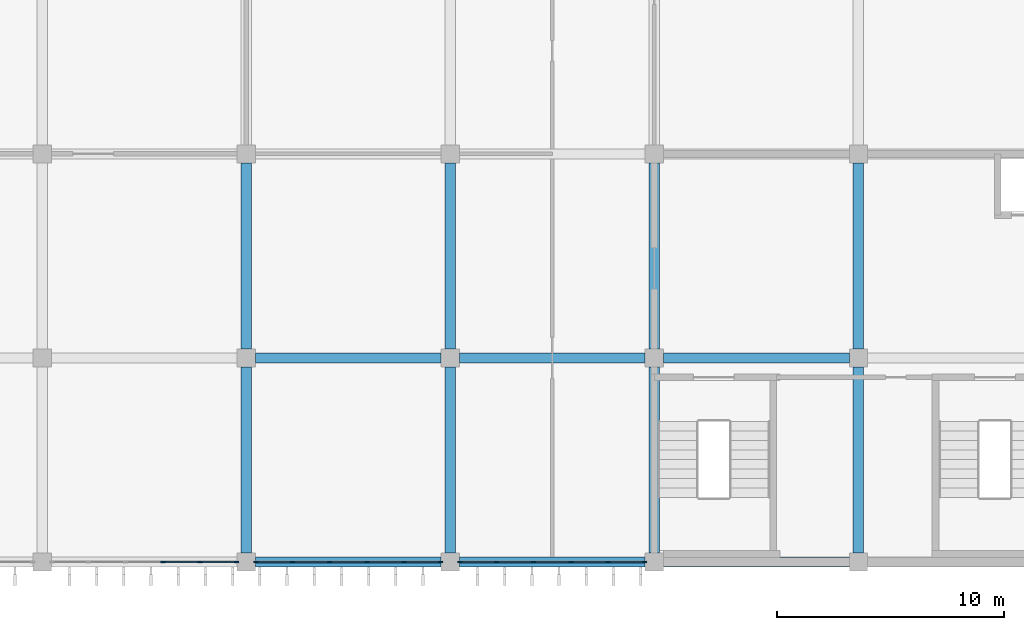
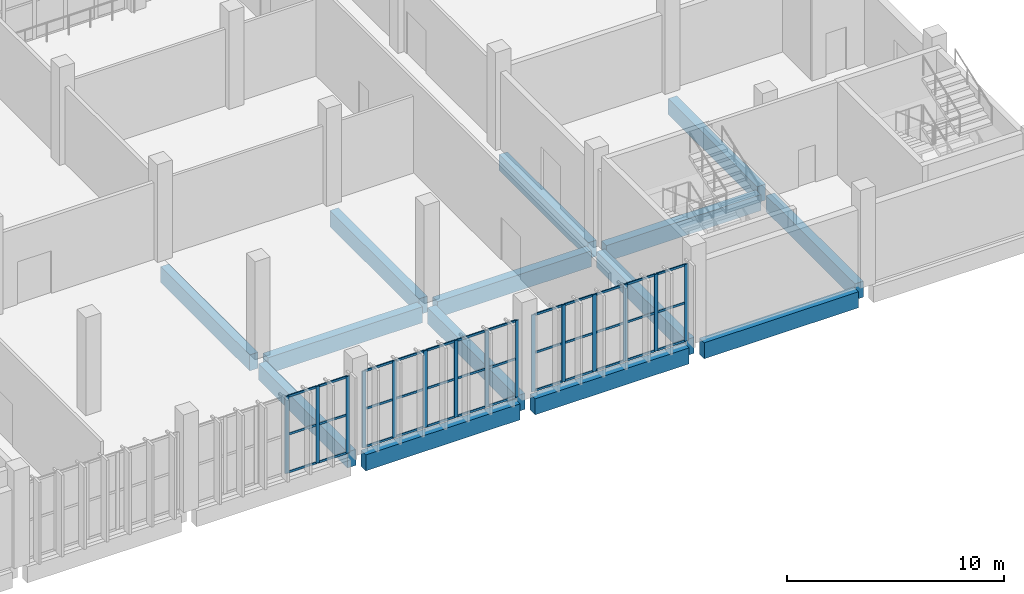
# One storey, part 18 of 185: 51 members, 14 beams, 3 elements without a shape of their own.
"""IFC4 building model written with IfcOpenShell, lengths in metres."""

from ifc_helpers import new_model, si_unit, direction, frame, origin, origin_2d, place, context, subcontext, project, spatial, rectangle, extrude, material, layer, layer_set, material_profile, profile_set, type_object, element, aggregate, save


model = new_model("IFC4")

# Units and contexts
model_context = context("Model", 3, precision=1e-05, world=origin(), true_north=direction((0.0, 1.0)))
body_context = subcontext(model_context, "Body", "Model", "MODEL_VIEW")
ifc_project = project(units=[si_unit("LENGTHUNIT", "METRE"), si_unit("AREAUNIT", "SQUARE_METRE"), si_unit("VOLUMEUNIT", "CUBIC_METRE"), si_unit("PLANEANGLEUNIT", "RADIAN"), si_unit("MASSUNIT", "GRAM", prefix="KILO")], contexts=[model_context])

# Site, building, storey
site_placement = place(None, origin())
site = spatial("IfcSite", under=ifc_project, at=site_placement, CompositionType="ELEMENT")
building_placement = place(site_placement, origin())
building = spatial("IfcBuilding", under=site, at=building_placement, Name="Opaline Strait Convention Centre", CompositionType="ELEMENT")
storey_placement = place(building_placement, frame((0.0, 0.0, 6.0)))
storey = spatial("IfcBuildingStorey", under=building, at=storey_placement, Name="L01", CompositionType="ELEMENT", Elevation=6.0)

# Curtain wall, members
ifc_material_1 = material(Name="Aluminium framed double glazing", Category="aluminium")
ifc_layer = layer(ifc_material_1, 0.199951171875)
ifc_layer_set = layer_set([ifc_layer], Name="Aluminium framed double glazing")
curtain_wall_type = type_object("IfcCurtainWallType", Name="Curtain wall 1500 module", PredefinedType="NOTDEFINED", material=ifc_layer_set)
curtain_wall_1_placement = place(storey_placement, origin())
curtain_wall_1 = element("IfcCurtainWall", 1, at=curtain_wall_1_placement, inside=storey, type_object=curtain_wall_type, Name="L01 S facade glazing bay 4", PredefinedType="NOTDEFINED")
ifc_material_2 = material(Name="Aluminium alloy 6063", Category="aluminium")
ifc_material_profile_1 = material_profile(ifc_material_2, rectangle(XDim=0.06005859375, YDim=0.199951171875, at=origin_2d()), Name="Curtain wall mullion 60x200")
ifc_profile_set_1 = profile_set([ifc_material_profile_1], Name="Aluminium alloy 6063")
member_type_1 = type_object("IfcMemberType", Name="Curtain wall mullion 60x200", PredefinedType="MULLION", material=ifc_profile_set_1)
member_1_placement = place(storey_placement, frame((41.320068359375, 9.0, 0.0), z_axis=(0.0, 0.0, 1.0), x_axis=(0.0, 1.0, 0.0)))
member_1 = element("IfcMember", 2, at=member_1_placement, type_object=member_type_1, Name="RCW1 mullion 4", PredefinedType="MULLION", context=body_context, shape_type="SweptSolid", body=[
    extrude(rectangle(XDim=0.06005859375, YDim=0.199951171875, at=origin_2d()), origin(), (0.0, 0.0, 1.0), 4.320068359375),
])
member_2_placement = place(storey_placement, frame((42.9599609375, 9.0, 0.0), z_axis=(0.0, 0.0, 1.0), x_axis=(0.0, 1.0, 0.0)))
member_2 = element("IfcMember", 3, at=member_2_placement, type_object=member_type_1, Name="RCW1 mullion 5", PredefinedType="MULLION", context=body_context, shape_type="SweptSolid", body=[
    extrude(rectangle(XDim=0.06005859375, YDim=0.199951171875, at=origin_2d()), origin(), (0.0, 0.0, 1.0), 4.320068359375),
])
member_3_placement = place(storey_placement, frame((44.570068359375, 9.0, 0.0), z_axis=(0.0, 0.0, 1.0), x_axis=(0.0, 1.0, 0.0)))
member_3 = element("IfcMember", 4, at=member_3_placement, type_object=member_type_1, Name="RCW1 mullion 6", PredefinedType="MULLION", context=body_context, shape_type="SweptSolid", body=[
    extrude(rectangle(XDim=0.06005859375, YDim=0.199951171875, at=origin_2d()), origin(), (0.0, 0.0, 1.0), 4.320068359375),
])

curtain_wall_2_placement = place(storey_placement, origin())
curtain_wall_2 = element("IfcCurtainWall", 5, at=curtain_wall_2_placement, inside=storey, type_object=curtain_wall_type, Name="L01 S facade glazing bay 5", PredefinedType="NOTDEFINED")
member_4_placement = place(storey_placement, frame((45.429931640625, 9.0, 0.0), z_axis=(0.0, 0.0, 1.0), x_axis=(0.0, 1.0, 0.0)))
member_4 = element("IfcMember", 6, at=member_4_placement, type_object=member_type_1, Name="RCW1 mullion 1", PredefinedType="MULLION", context=body_context, shape_type="SweptSolid", body=[
    extrude(rectangle(XDim=0.06005859375, YDim=0.199951171875, at=origin_2d()), origin(), (0.0, 0.0, 1.0), 4.320068359375),
])
member_5_placement = place(storey_placement, frame((47.0400390625, 9.0, 0.0), z_axis=(0.0, 0.0, 1.0), x_axis=(0.0, 1.0, 0.0)))
member_5 = element("IfcMember", 7, at=member_5_placement, type_object=member_type_1, Name="RCW1 mullion 2", PredefinedType="MULLION", context=body_context, shape_type="SweptSolid", body=[
    extrude(rectangle(XDim=0.06005859375, YDim=0.199951171875, at=origin_2d()), origin(), (0.0, 0.0, 1.0), 4.320068359375),
])
member_6_placement = place(storey_placement, frame((48.679931640625, 9.0, 0.0), z_axis=(0.0, 0.0, 1.0), x_axis=(0.0, 1.0, 0.0)))
member_6 = element("IfcMember", 8, at=member_6_placement, type_object=member_type_1, Name="RCW1 mullion 3", PredefinedType="MULLION", context=body_context, shape_type="SweptSolid", body=[
    extrude(rectangle(XDim=0.06005859375, YDim=0.199951171875, at=origin_2d()), origin(), (0.0, 0.0, 1.0), 4.320068359375),
])
member_7_placement = place(storey_placement, frame((50.320068359375, 9.0, 0.0), z_axis=(0.0, 0.0, 1.0), x_axis=(0.0, 1.0, 0.0)))
member_7 = element("IfcMember", 9, at=member_7_placement, type_object=member_type_1, Name="RCW1 mullion 4", PredefinedType="MULLION", context=body_context, shape_type="SweptSolid", body=[
    extrude(rectangle(XDim=0.06005859375, YDim=0.199951171875, at=origin_2d()), origin(), (0.0, 0.0, 1.0), 4.320068359375),
])
member_8_placement = place(storey_placement, frame((51.9599609375, 9.0, 0.0), z_axis=(0.0, 0.0, 1.0), x_axis=(0.0, 1.0, 0.0)))
member_8 = element("IfcMember", 10, at=member_8_placement, type_object=member_type_1, Name="RCW1 mullion 5", PredefinedType="MULLION", context=body_context, shape_type="SweptSolid", body=[
    extrude(rectangle(XDim=0.06005859375, YDim=0.199951171875, at=origin_2d()), origin(), (0.0, 0.0, 1.0), 4.320068359375),
])
member_9_placement = place(storey_placement, frame((53.570068359375, 9.0, 0.0), z_axis=(0.0, 0.0, 1.0), x_axis=(0.0, 1.0, 0.0)))
member_9 = element("IfcMember", 11, at=member_9_placement, type_object=member_type_1, Name="RCW1 mullion 6", PredefinedType="MULLION", context=body_context, shape_type="SweptSolid", body=[
    extrude(rectangle(XDim=0.06005859375, YDim=0.199951171875, at=origin_2d()), origin(), (0.0, 0.0, 1.0), 4.320068359375),
])

curtain_wall_3_placement = place(storey_placement, origin())
curtain_wall_3 = element("IfcCurtainWall", 12, at=curtain_wall_3_placement, inside=storey, type_object=curtain_wall_type, Name="L01 S facade glazing bay 6", PredefinedType="NOTDEFINED")
member_10_placement = place(storey_placement, frame((54.429931640625, 9.0, 0.0), z_axis=(0.0, 0.0, 1.0), x_axis=(0.0, 1.0, 0.0)))
member_10 = element("IfcMember", 13, at=member_10_placement, type_object=member_type_1, Name="RCW1 mullion 1", PredefinedType="MULLION", context=body_context, shape_type="SweptSolid", body=[
    extrude(rectangle(XDim=0.06005859375, YDim=0.199951171875, at=origin_2d()), origin(), (0.0, 0.0, 1.0), 4.320068359375),
])
member_11_placement = place(storey_placement, frame((56.0400390625, 9.0, 0.0), z_axis=(0.0, 0.0, 1.0), x_axis=(0.0, 1.0, 0.0)))
member_11 = element("IfcMember", 14, at=member_11_placement, type_object=member_type_1, Name="RCW1 mullion 2", PredefinedType="MULLION", context=body_context, shape_type="SweptSolid", body=[
    extrude(rectangle(XDim=0.06005859375, YDim=0.199951171875, at=origin_2d()), origin(), (0.0, 0.0, 1.0), 4.320068359375),
])
member_12_placement = place(storey_placement, frame((57.679931640625, 9.0, 0.0), z_axis=(0.0, 0.0, 1.0), x_axis=(0.0, 1.0, 0.0)))
member_12 = element("IfcMember", 15, at=member_12_placement, type_object=member_type_1, Name="RCW1 mullion 3", PredefinedType="MULLION", context=body_context, shape_type="SweptSolid", body=[
    extrude(rectangle(XDim=0.06005859375, YDim=0.199951171875, at=origin_2d()), origin(), (0.0, 0.0, 1.0), 4.320068359375),
])
member_13_placement = place(storey_placement, frame((59.320068359375, 9.0, 0.0), z_axis=(0.0, 0.0, 1.0), x_axis=(0.0, 1.0, 0.0)))
member_13 = element("IfcMember", 16, at=member_13_placement, type_object=member_type_1, Name="RCW1 mullion 4", PredefinedType="MULLION", context=body_context, shape_type="SweptSolid", body=[
    extrude(rectangle(XDim=0.06005859375, YDim=0.199951171875, at=origin_2d()), origin(), (0.0, 0.0, 1.0), 4.320068359375),
])
member_14_placement = place(storey_placement, frame((60.9599609375, 9.0, 0.0), z_axis=(0.0, 0.0, 1.0), x_axis=(0.0, 1.0, 0.0)))
member_14 = element("IfcMember", 17, at=member_14_placement, type_object=member_type_1, Name="RCW1 mullion 5", PredefinedType="MULLION", context=body_context, shape_type="SweptSolid", body=[
    extrude(rectangle(XDim=0.06005859375, YDim=0.199951171875, at=origin_2d()), origin(), (0.0, 0.0, 1.0), 4.320068359375),
])
member_15_placement = place(storey_placement, frame((62.570068359375, 9.0, 0.0), z_axis=(0.0, 0.0, 1.0), x_axis=(0.0, 1.0, 0.0)))
member_15 = element("IfcMember", 18, at=member_15_placement, type_object=member_type_1, Name="RCW1 mullion 6", PredefinedType="MULLION", context=body_context, shape_type="SweptSolid", body=[
    extrude(rectangle(XDim=0.06005859375, YDim=0.199951171875, at=origin_2d()), origin(), (0.0, 0.0, 1.0), 4.320068359375),
])

# Member
ifc_material_profile_2 = material_profile(ifc_material_2, rectangle(XDim=0.06005859375, YDim=0.1201171875, at=origin_2d()), Name="Curtain wall transom 60x120")
ifc_profile_set_2 = profile_set([ifc_material_profile_2], Name="Aluminium alloy 6063")
member_type_2 = type_object("IfcMemberType", Name="Curtain wall transom 60x120", PredefinedType="USERDEFINED", material=ifc_profile_set_2)
member_16_placement = place(storey_placement, frame((41.35009765625, 9.0, 0.030029296875), z_axis=(1.0, 0.0, 0.0), x_axis=(0.0, 1.0, 0.0)))
member_16 = element("IfcMember", 19, at=member_16_placement, type_object=member_type_2, Name="RCW1 transom 4.1", ObjectType="TRANSOM", PredefinedType="USERDEFINED", context=body_context, shape_type="SweptSolid", body=[
    extrude(rectangle(XDim=0.06005859375, YDim=0.1201171875, at=origin_2d()), origin(), (0.0, 0.0, 1.0), 1.580078125),
])

member_17_placement = place(storey_placement, frame((41.35009765625, 9.0, 2.159912109375), z_axis=(1.0, 0.0, 0.0), x_axis=(0.0, 1.0, 0.0)))
member_17 = element("IfcMember", 20, at=member_17_placement, type_object=member_type_2, Name="RCW1 transom 4.2", ObjectType="TRANSOM", PredefinedType="USERDEFINED", context=body_context, shape_type="SweptSolid", body=[
    extrude(rectangle(XDim=0.06005859375, YDim=0.1201171875, at=origin_2d()), origin(), (0.0, 0.0, 1.0), 1.580078125),
])

member_18_placement = place(storey_placement, frame((41.35009765625, 9.0, 4.2900390625), z_axis=(1.0, 0.0, 0.0), x_axis=(0.0, 1.0, 0.0)))
member_18 = element("IfcMember", 21, at=member_18_placement, type_object=member_type_2, Name="RCW1 transom 4.3", ObjectType="TRANSOM", PredefinedType="USERDEFINED", context=body_context, shape_type="SweptSolid", body=[
    extrude(rectangle(XDim=0.06005859375, YDim=0.1201171875, at=origin_2d()), origin(), (0.0, 0.0, 1.0), 1.580078125),
])

member_19_placement = place(storey_placement, frame((42.989990234375, 9.0, 0.030029296875), z_axis=(1.0, 0.0, 0.0), x_axis=(0.0, 1.0, 0.0)))
member_19 = element("IfcMember", 22, at=member_19_placement, type_object=member_type_2, Name="RCW1 transom 5.1", ObjectType="TRANSOM", PredefinedType="USERDEFINED", context=body_context, shape_type="SweptSolid", body=[
    extrude(rectangle(XDim=0.06005859375, YDim=0.1201171875, at=origin_2d()), origin(), (0.0, 0.0, 1.0), 1.550048828125),
])

member_20_placement = place(storey_placement, frame((42.989990234375, 9.0, 2.159912109375), z_axis=(1.0, 0.0, 0.0), x_axis=(0.0, 1.0, 0.0)))
member_20 = element("IfcMember", 23, at=member_20_placement, type_object=member_type_2, Name="RCW1 transom 5.2", ObjectType="TRANSOM", PredefinedType="USERDEFINED", context=body_context, shape_type="SweptSolid", body=[
    extrude(rectangle(XDim=0.06005859375, YDim=0.1201171875, at=origin_2d()), origin(), (0.0, 0.0, 1.0), 1.550048828125),
])

member_21_placement = place(storey_placement, frame((42.989990234375, 9.0, 4.2900390625), z_axis=(1.0, 0.0, 0.0), x_axis=(0.0, 1.0, 0.0)))
member_21 = element("IfcMember", 24, at=member_21_placement, type_object=member_type_2, Name="RCW1 transom 5.3", ObjectType="TRANSOM", PredefinedType="USERDEFINED", context=body_context, shape_type="SweptSolid", body=[
    extrude(rectangle(XDim=0.06005859375, YDim=0.1201171875, at=origin_2d()), origin(), (0.0, 0.0, 1.0), 1.550048828125),
])

aggregate(curtain_wall_1, [member_1, member_2, member_3, member_16, member_17, member_18, member_19, member_20, member_21])

member_22_placement = place(storey_placement, frame((45.4599609375, 9.0, 0.030029296875), z_axis=(1.0, 0.0, 0.0), x_axis=(0.0, 1.0, 0.0)))
member_22 = element("IfcMember", 25, at=member_22_placement, type_object=member_type_2, Name="RCW1 transom 1.1", ObjectType="TRANSOM", PredefinedType="USERDEFINED", context=body_context, shape_type="SweptSolid", body=[
    extrude(rectangle(XDim=0.06005859375, YDim=0.1201171875, at=origin_2d()), origin(), (0.0, 0.0, 1.0), 1.550048828125),
])

member_23_placement = place(storey_placement, frame((45.4599609375, 9.0, 2.159912109375), z_axis=(1.0, 0.0, 0.0), x_axis=(0.0, 1.0, 0.0)))
member_23 = element("IfcMember", 26, at=member_23_placement, type_object=member_type_2, Name="RCW1 transom 1.2", ObjectType="TRANSOM", PredefinedType="USERDEFINED", context=body_context, shape_type="SweptSolid", body=[
    extrude(rectangle(XDim=0.06005859375, YDim=0.1201171875, at=origin_2d()), origin(), (0.0, 0.0, 1.0), 1.550048828125),
])

member_24_placement = place(storey_placement, frame((45.4599609375, 9.0, 4.2900390625), z_axis=(1.0, 0.0, 0.0), x_axis=(0.0, 1.0, 0.0)))
member_24 = element("IfcMember", 27, at=member_24_placement, type_object=member_type_2, Name="RCW1 transom 1.3", ObjectType="TRANSOM", PredefinedType="USERDEFINED", context=body_context, shape_type="SweptSolid", body=[
    extrude(rectangle(XDim=0.06005859375, YDim=0.1201171875, at=origin_2d()), origin(), (0.0, 0.0, 1.0), 1.550048828125),
])

member_25_placement = place(storey_placement, frame((47.06982421875, 9.0, 0.030029296875), z_axis=(1.0, 0.0, 0.0), x_axis=(0.0, 1.0, 0.0)))
member_25 = element("IfcMember", 28, at=member_25_placement, type_object=member_type_2, Name="RCW1 transom 2.1", ObjectType="TRANSOM", PredefinedType="USERDEFINED", context=body_context, shape_type="SweptSolid", body=[
    extrude(rectangle(XDim=0.06005859375, YDim=0.1201171875, at=origin_2d()), origin(), (0.0, 0.0, 1.0), 1.580078125),
])

member_26_placement = place(storey_placement, frame((47.06982421875, 9.0, 2.159912109375), z_axis=(1.0, 0.0, 0.0), x_axis=(0.0, 1.0, 0.0)))
member_26 = element("IfcMember", 29, at=member_26_placement, type_object=member_type_2, Name="RCW1 transom 2.2", ObjectType="TRANSOM", PredefinedType="USERDEFINED", context=body_context, shape_type="SweptSolid", body=[
    extrude(rectangle(XDim=0.06005859375, YDim=0.1201171875, at=origin_2d()), origin(), (0.0, 0.0, 1.0), 1.580078125),
])

member_27_placement = place(storey_placement, frame((47.06982421875, 9.0, 4.2900390625), z_axis=(1.0, 0.0, 0.0), x_axis=(0.0, 1.0, 0.0)))
member_27 = element("IfcMember", 30, at=member_27_placement, type_object=member_type_2, Name="RCW1 transom 2.3", ObjectType="TRANSOM", PredefinedType="USERDEFINED", context=body_context, shape_type="SweptSolid", body=[
    extrude(rectangle(XDim=0.06005859375, YDim=0.1201171875, at=origin_2d()), origin(), (0.0, 0.0, 1.0), 1.580078125),
])

member_28_placement = place(storey_placement, frame((48.7099609375, 9.0, 0.030029296875), z_axis=(1.0, 0.0, 0.0), x_axis=(0.0, 1.0, 0.0)))
member_28 = element("IfcMember", 31, at=member_28_placement, type_object=member_type_2, Name="RCW1 transom 3.1", ObjectType="TRANSOM", PredefinedType="USERDEFINED", context=body_context, shape_type="SweptSolid", body=[
    extrude(rectangle(XDim=0.06005859375, YDim=0.1201171875, at=origin_2d()), origin(), (0.0, 0.0, 1.0), 1.580078125),
])

member_29_placement = place(storey_placement, frame((48.7099609375, 9.0, 2.159912109375), z_axis=(1.0, 0.0, 0.0), x_axis=(0.0, 1.0, 0.0)))
member_29 = element("IfcMember", 32, at=member_29_placement, type_object=member_type_2, Name="RCW1 transom 3.2", ObjectType="TRANSOM", PredefinedType="USERDEFINED", context=body_context, shape_type="SweptSolid", body=[
    extrude(rectangle(XDim=0.06005859375, YDim=0.1201171875, at=origin_2d()), origin(), (0.0, 0.0, 1.0), 1.580078125),
])

member_30_placement = place(storey_placement, frame((48.7099609375, 9.0, 4.2900390625), z_axis=(1.0, 0.0, 0.0), x_axis=(0.0, 1.0, 0.0)))
member_30 = element("IfcMember", 33, at=member_30_placement, type_object=member_type_2, Name="RCW1 transom 3.3", ObjectType="TRANSOM", PredefinedType="USERDEFINED", context=body_context, shape_type="SweptSolid", body=[
    extrude(rectangle(XDim=0.06005859375, YDim=0.1201171875, at=origin_2d()), origin(), (0.0, 0.0, 1.0), 1.580078125),
])

member_31_placement = place(storey_placement, frame((50.35009765625, 9.0, 0.030029296875), z_axis=(1.0, 0.0, 0.0), x_axis=(0.0, 1.0, 0.0)))
member_31 = element("IfcMember", 34, at=member_31_placement, type_object=member_type_2, Name="RCW1 transom 4.1", ObjectType="TRANSOM", PredefinedType="USERDEFINED", context=body_context, shape_type="SweptSolid", body=[
    extrude(rectangle(XDim=0.06005859375, YDim=0.1201171875, at=origin_2d()), origin(), (0.0, 0.0, 1.0), 1.580078125),
])

member_32_placement = place(storey_placement, frame((50.35009765625, 9.0, 2.159912109375), z_axis=(1.0, 0.0, 0.0), x_axis=(0.0, 1.0, 0.0)))
member_32 = element("IfcMember", 35, at=member_32_placement, type_object=member_type_2, Name="RCW1 transom 4.2", ObjectType="TRANSOM", PredefinedType="USERDEFINED", context=body_context, shape_type="SweptSolid", body=[
    extrude(rectangle(XDim=0.06005859375, YDim=0.1201171875, at=origin_2d()), origin(), (0.0, 0.0, 1.0), 1.580078125),
])

member_33_placement = place(storey_placement, frame((50.35009765625, 9.0, 4.2900390625), z_axis=(1.0, 0.0, 0.0), x_axis=(0.0, 1.0, 0.0)))
member_33 = element("IfcMember", 36, at=member_33_placement, type_object=member_type_2, Name="RCW1 transom 4.3", ObjectType="TRANSOM", PredefinedType="USERDEFINED", context=body_context, shape_type="SweptSolid", body=[
    extrude(rectangle(XDim=0.06005859375, YDim=0.1201171875, at=origin_2d()), origin(), (0.0, 0.0, 1.0), 1.580078125),
])

member_34_placement = place(storey_placement, frame((51.989990234375, 9.0, 0.030029296875), z_axis=(1.0, 0.0, 0.0), x_axis=(0.0, 1.0, 0.0)))
member_34 = element("IfcMember", 37, at=member_34_placement, type_object=member_type_2, Name="RCW1 transom 5.1", ObjectType="TRANSOM", PredefinedType="USERDEFINED", context=body_context, shape_type="SweptSolid", body=[
    extrude(rectangle(XDim=0.06005859375, YDim=0.1201171875, at=origin_2d()), origin(), (0.0, 0.0, 1.0), 1.550048828125),
])

member_35_placement = place(storey_placement, frame((51.989990234375, 9.0, 2.159912109375), z_axis=(1.0, 0.0, 0.0), x_axis=(0.0, 1.0, 0.0)))
member_35 = element("IfcMember", 38, at=member_35_placement, type_object=member_type_2, Name="RCW1 transom 5.2", ObjectType="TRANSOM", PredefinedType="USERDEFINED", context=body_context, shape_type="SweptSolid", body=[
    extrude(rectangle(XDim=0.06005859375, YDim=0.1201171875, at=origin_2d()), origin(), (0.0, 0.0, 1.0), 1.550048828125),
])

member_36_placement = place(storey_placement, frame((51.989990234375, 9.0, 4.2900390625), z_axis=(1.0, 0.0, 0.0), x_axis=(0.0, 1.0, 0.0)))
member_36 = element("IfcMember", 39, at=member_36_placement, type_object=member_type_2, Name="RCW1 transom 5.3", ObjectType="TRANSOM", PredefinedType="USERDEFINED", context=body_context, shape_type="SweptSolid", body=[
    extrude(rectangle(XDim=0.06005859375, YDim=0.1201171875, at=origin_2d()), origin(), (0.0, 0.0, 1.0), 1.550048828125),
])

aggregate(curtain_wall_2, [member_4, member_5, member_6, member_7, member_8, member_9, member_22, member_23, member_24, member_25, member_26, member_27, member_28, member_29, member_30, member_31, member_32, member_33, member_34, member_35, member_36])

member_37_placement = place(storey_placement, frame((54.4599609375, 9.0, 0.030029296875), z_axis=(1.0, 0.0, 0.0), x_axis=(0.0, 1.0, 0.0)))
member_37 = element("IfcMember", 40, at=member_37_placement, type_object=member_type_2, Name="RCW1 transom 1.1", ObjectType="TRANSOM", PredefinedType="USERDEFINED", context=body_context, shape_type="SweptSolid", body=[
    extrude(rectangle(XDim=0.06005859375, YDim=0.1201171875, at=origin_2d()), origin(), (0.0, 0.0, 1.0), 1.550048828125),
])

member_38_placement = place(storey_placement, frame((54.4599609375, 9.0, 2.159912109375), z_axis=(1.0, 0.0, 0.0), x_axis=(0.0, 1.0, 0.0)))
member_38 = element("IfcMember", 41, at=member_38_placement, type_object=member_type_2, Name="RCW1 transom 1.2", ObjectType="TRANSOM", PredefinedType="USERDEFINED", context=body_context, shape_type="SweptSolid", body=[
    extrude(rectangle(XDim=0.06005859375, YDim=0.1201171875, at=origin_2d()), origin(), (0.0, 0.0, 1.0), 1.550048828125),
])

member_39_placement = place(storey_placement, frame((54.4599609375, 9.0, 4.2900390625), z_axis=(1.0, 0.0, 0.0), x_axis=(0.0, 1.0, 0.0)))
member_39 = element("IfcMember", 42, at=member_39_placement, type_object=member_type_2, Name="RCW1 transom 1.3", ObjectType="TRANSOM", PredefinedType="USERDEFINED", context=body_context, shape_type="SweptSolid", body=[
    extrude(rectangle(XDim=0.06005859375, YDim=0.1201171875, at=origin_2d()), origin(), (0.0, 0.0, 1.0), 1.550048828125),
])

member_40_placement = place(storey_placement, frame((56.06982421875, 9.0, 0.030029296875), z_axis=(1.0, 0.0, 0.0), x_axis=(0.0, 1.0, 0.0)))
member_40 = element("IfcMember", 43, at=member_40_placement, type_object=member_type_2, Name="RCW1 transom 2.1", ObjectType="TRANSOM", PredefinedType="USERDEFINED", context=body_context, shape_type="SweptSolid", body=[
    extrude(rectangle(XDim=0.06005859375, YDim=0.1201171875, at=origin_2d()), origin(), (0.0, 0.0, 1.0), 1.580078125),
])

member_41_placement = place(storey_placement, frame((56.06982421875, 9.0, 2.159912109375), z_axis=(1.0, 0.0, 0.0), x_axis=(0.0, 1.0, 0.0)))
member_41 = element("IfcMember", 44, at=member_41_placement, type_object=member_type_2, Name="RCW1 transom 2.2", ObjectType="TRANSOM", PredefinedType="USERDEFINED", context=body_context, shape_type="SweptSolid", body=[
    extrude(rectangle(XDim=0.06005859375, YDim=0.1201171875, at=origin_2d()), origin(), (0.0, 0.0, 1.0), 1.580078125),
])

member_42_placement = place(storey_placement, frame((56.06982421875, 9.0, 4.2900390625), z_axis=(1.0, 0.0, 0.0), x_axis=(0.0, 1.0, 0.0)))
member_42 = element("IfcMember", 45, at=member_42_placement, type_object=member_type_2, Name="RCW1 transom 2.3", ObjectType="TRANSOM", PredefinedType="USERDEFINED", context=body_context, shape_type="SweptSolid", body=[
    extrude(rectangle(XDim=0.06005859375, YDim=0.1201171875, at=origin_2d()), origin(), (0.0, 0.0, 1.0), 1.580078125),
])

member_43_placement = place(storey_placement, frame((57.7099609375, 9.0, 0.030029296875), z_axis=(1.0, 0.0, 0.0), x_axis=(0.0, 1.0, 0.0)))
member_43 = element("IfcMember", 46, at=member_43_placement, type_object=member_type_2, Name="RCW1 transom 3.1", ObjectType="TRANSOM", PredefinedType="USERDEFINED", context=body_context, shape_type="SweptSolid", body=[
    extrude(rectangle(XDim=0.06005859375, YDim=0.1201171875, at=origin_2d()), origin(), (0.0, 0.0, 1.0), 1.580078125),
])

member_44_placement = place(storey_placement, frame((57.7099609375, 9.0, 2.159912109375), z_axis=(1.0, 0.0, 0.0), x_axis=(0.0, 1.0, 0.0)))
member_44 = element("IfcMember", 47, at=member_44_placement, type_object=member_type_2, Name="RCW1 transom 3.2", ObjectType="TRANSOM", PredefinedType="USERDEFINED", context=body_context, shape_type="SweptSolid", body=[
    extrude(rectangle(XDim=0.06005859375, YDim=0.1201171875, at=origin_2d()), origin(), (0.0, 0.0, 1.0), 1.580078125),
])

member_45_placement = place(storey_placement, frame((57.7099609375, 9.0, 4.2900390625), z_axis=(1.0, 0.0, 0.0), x_axis=(0.0, 1.0, 0.0)))
member_45 = element("IfcMember", 48, at=member_45_placement, type_object=member_type_2, Name="RCW1 transom 3.3", ObjectType="TRANSOM", PredefinedType="USERDEFINED", context=body_context, shape_type="SweptSolid", body=[
    extrude(rectangle(XDim=0.06005859375, YDim=0.1201171875, at=origin_2d()), origin(), (0.0, 0.0, 1.0), 1.580078125),
])

member_46_placement = place(storey_placement, frame((59.35009765625, 9.0, 0.030029296875), z_axis=(1.0, 0.0, 0.0), x_axis=(0.0, 1.0, 0.0)))
member_46 = element("IfcMember", 49, at=member_46_placement, type_object=member_type_2, Name="RCW1 transom 4.1", ObjectType="TRANSOM", PredefinedType="USERDEFINED", context=body_context, shape_type="SweptSolid", body=[
    extrude(rectangle(XDim=0.06005859375, YDim=0.1201171875, at=origin_2d()), origin(), (0.0, 0.0, 1.0), 1.580078125),
])

member_47_placement = place(storey_placement, frame((59.35009765625, 9.0, 2.159912109375), z_axis=(1.0, 0.0, 0.0), x_axis=(0.0, 1.0, 0.0)))
member_47 = element("IfcMember", 50, at=member_47_placement, type_object=member_type_2, Name="RCW1 transom 4.2", ObjectType="TRANSOM", PredefinedType="USERDEFINED", context=body_context, shape_type="SweptSolid", body=[
    extrude(rectangle(XDim=0.06005859375, YDim=0.1201171875, at=origin_2d()), origin(), (0.0, 0.0, 1.0), 1.580078125),
])

member_48_placement = place(storey_placement, frame((59.35009765625, 9.0, 4.2900390625), z_axis=(1.0, 0.0, 0.0), x_axis=(0.0, 1.0, 0.0)))
member_48 = element("IfcMember", 51, at=member_48_placement, type_object=member_type_2, Name="RCW1 transom 4.3", ObjectType="TRANSOM", PredefinedType="USERDEFINED", context=body_context, shape_type="SweptSolid", body=[
    extrude(rectangle(XDim=0.06005859375, YDim=0.1201171875, at=origin_2d()), origin(), (0.0, 0.0, 1.0), 1.580078125),
])

member_49_placement = place(storey_placement, frame((60.989990234375, 9.0, 0.030029296875), z_axis=(1.0, 0.0, 0.0), x_axis=(0.0, 1.0, 0.0)))
member_49 = element("IfcMember", 52, at=member_49_placement, type_object=member_type_2, Name="RCW1 transom 5.1", ObjectType="TRANSOM", PredefinedType="USERDEFINED", context=body_context, shape_type="SweptSolid", body=[
    extrude(rectangle(XDim=0.06005859375, YDim=0.1201171875, at=origin_2d()), origin(), (0.0, 0.0, 1.0), 1.550048828125),
])

member_50_placement = place(storey_placement, frame((60.989990234375, 9.0, 2.159912109375), z_axis=(1.0, 0.0, 0.0), x_axis=(0.0, 1.0, 0.0)))
member_50 = element("IfcMember", 53, at=member_50_placement, type_object=member_type_2, Name="RCW1 transom 5.2", ObjectType="TRANSOM", PredefinedType="USERDEFINED", context=body_context, shape_type="SweptSolid", body=[
    extrude(rectangle(XDim=0.06005859375, YDim=0.1201171875, at=origin_2d()), origin(), (0.0, 0.0, 1.0), 1.550048828125),
])

member_51_placement = place(storey_placement, frame((60.989990234375, 9.0, 4.2900390625), z_axis=(1.0, 0.0, 0.0), x_axis=(0.0, 1.0, 0.0)))
member_51 = element("IfcMember", 54, at=member_51_placement, type_object=member_type_2, Name="RCW1 transom 5.3", ObjectType="TRANSOM", PredefinedType="USERDEFINED", context=body_context, shape_type="SweptSolid", body=[
    extrude(rectangle(XDim=0.06005859375, YDim=0.1201171875, at=origin_2d()), origin(), (0.0, 0.0, 1.0), 1.550048828125),
])

aggregate(curtain_wall_3, [member_10, member_11, member_12, member_13, member_14, member_15, member_37, member_38, member_39, member_40, member_41, member_42, member_43, member_44, member_45, member_46, member_47, member_48, member_49, member_50, member_51])

# Beams
ifc_material_3 = material(Name="Concrete C35", Category="concrete")
ifc_material_profile_3 = material_profile(ifc_material_3, rectangle(XDim=0.449951171875, YDim=0.89990234375, at=origin_2d()), Name="RC 450x900")
ifc_profile_set_3 = profile_set([ifc_material_profile_3], Name="Concrete C35")
beam_type = type_object("IfcBeamType", Name="RC beam 450x900 C35", PredefinedType="BEAM", material=ifc_profile_set_3)
for number, where, z_axis, x_axis, name in (
    (55, (45.39990234375, 9.0, -0.72998046875), (1.0, 0.0, 0.0), (0.0, 1.0, 0.0), "XB1 L01 45/9-54/9"),
    (56, (54.39990234375, 9.0, -0.72998046875), (1.0, 0.0, 0.0), (0.0, 1.0, 0.0), "XB1 L01 54/9-63/9"),
    (57, (63.39990234375, 9.0, -0.72998046875), (1.0, 0.0, 0.0), (0.0, 1.0, 0.0), "XB1 L01 63/9-72/9"),
    (58, (45.39990234375, 18.0, -0.72998046875), (1.0, 0.0, 0.0), (0.0, 1.0, 0.0), "XB1 L01 45/18-54/18"),
    (59, (54.39990234375, 18.0, -0.72998046875), (1.0, 0.0, 0.0), (0.0, 1.0, 0.0), "XB1 L01 54/18-63/18"),
    (60, (63.39990234375, 18.0, -0.72998046875), (1.0, 0.0, 0.0), (0.0, 1.0, 0.0), "XB1 L01 63/18-72/18"),
    (61, (45.0, 9.39990234375, -0.72998046875), (0.0, 1.0, 0.0), (-1.0, 0.0, 0.0), "XB1 L01 45/9-45/18"),
    (62, (45.0, 18.39990234375, -0.72998046875), (0.0, 1.0, 0.0), (-1.0, 0.0, 0.0), "XB1 L01 45/18-45/27"),
    (63, (54.0, 9.39990234375, -0.72998046875), (0.0, 1.0, 0.0), (-1.0, 0.0, 0.0), "XB1 L01 54/9-54/18"),
    (64, (54.0, 18.39990234375, -0.72998046875), (0.0, 1.0, 0.0), (-1.0, 0.0, 0.0), "XB1 L01 54/18-54/27"),
    (65, (63.0, 9.39990234375, -0.72998046875), (0.0, 1.0, 0.0), (-1.0, 0.0, 0.0), "XB1 L01 63/9-63/18"),
    (66, (63.0, 18.39990234375, -0.72998046875), (0.0, 1.0, 0.0), (-1.0, 0.0, 0.0), "XB1 L01 63/18-63/27"),
    (67, (72.0, 9.39990234375, -0.72998046875), (0.0, 1.0, 0.0), (-1.0, 0.0, 0.0), "XB1 L01 72/9-72/18"),
    (68, (72.0, 18.39990234375, -0.72998046875), (0.0, 1.0, 0.0), (-1.0, 0.0, 0.0), "XB1 L01 72/18-72/27"),
):
    element("IfcBeam", number, at=place(storey_placement, frame(where, z_axis=z_axis, x_axis=x_axis)), inside=storey, type_object=beam_type, Name=name, PredefinedType="BEAM", context=body_context, shape_type="SweptSolid", body=[
        extrude(rectangle(XDim=0.449951171875, YDim=0.89990234375, at=origin_2d()), origin(), (0.0, 0.0, 1.0), 8.2001953125),
    ])

save(model, "model.ifc")
